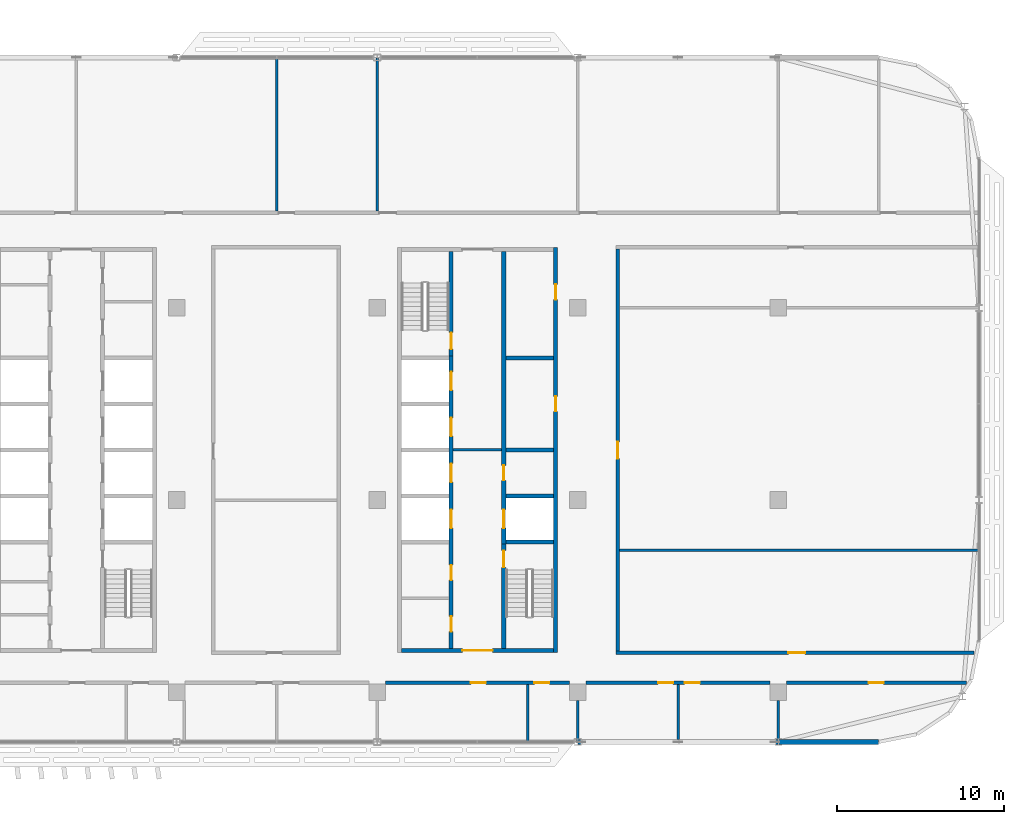
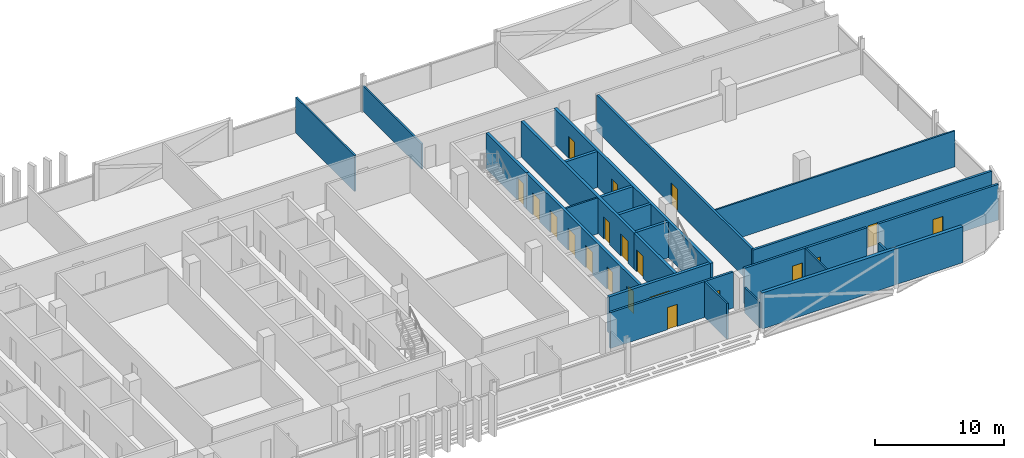
# One storey, part 21 of 33: 25 walls, 20 doors, 20 openings.
"""IFC4 building model written with IfcOpenShell, lengths in metres."""

from ifc_helpers import new_model, si_unit, direction, frame, frame_2d, origin, place, context, subcontext, project, spatial, rectangle, extrude, material, layer, layer_set, type_object, element, fill, save


model = new_model("IFC4")

# Units and contexts
model_context = context("Model", 3, precision=1e-05, world=origin(), true_north=direction((0.0, 1.0)))
body_context = subcontext(model_context, "Body", "Model", "MODEL_VIEW")
ifc_project = project(units=[si_unit("LENGTHUNIT", "METRE"), si_unit("AREAUNIT", "SQUARE_METRE"), si_unit("VOLUMEUNIT", "CUBIC_METRE"), si_unit("PLANEANGLEUNIT", "RADIAN"), si_unit("MASSUNIT", "GRAM", prefix="KILO")], contexts=[model_context])

# Site, building, storey
site_placement = place(None, origin())
site = spatial("IfcSite", under=ifc_project, at=site_placement, CompositionType="ELEMENT")
building_placement = place(site_placement, origin())
building = spatial("IfcBuilding", under=site, at=building_placement, Name="Mahtab Terrace Research Tower", CompositionType="ELEMENT")
storey_placement = place(building_placement, frame((0.0, 0.0, 255.199951171875)))
storey = spatial("IfcBuildingStorey", under=building, at=storey_placement, Name="L62", CompositionType="ELEMENT", Elevation=255.199951171875)

# Wall
ifc_material_1 = material(Name="Gypsum board partition")
ifc_layer_1 = layer(ifc_material_1, 0.14990234375)
ifc_layer_set_1 = layer_set([ifc_layer_1], Name="Core partition 150")
wall_type_1 = type_object("IfcWallType", Name="Core partition 150", PredefinedType="PARTITIONING", material=ifc_layer_set_1)
wall_1_placement = place(storey_placement, frame((22.550048828125, 3.0, 0.0), z_axis=(0.0, 0.0, 1.0), x_axis=(1.0, 0.0, 0.0)))
element("IfcWall", 1, at=wall_1_placement, inside=storey, type_object=wall_type_1, Name="Core wall C ffl", PredefinedType="PARTITIONING", context=body_context, shape_type="SweptSolid", body=[
    extrude(rectangle(XDim=2.89990234375, YDim=0.14990234375, at=frame_2d((1.449951171875, 0.0))), origin(), (0.0, 0.0, 1.0), 3.400146484375),
])

# Wall, openings, doors
ifc_material_2 = material(Name="Concrete C70/85", Category="concrete")
ifc_layer_2 = layer(ifc_material_2, 0.25)
ifc_layer_set_2 = layer_set([ifc_layer_2], Name="Core wall 250")
wall_type_2 = type_object("IfcWallType", Name="Core wall 250", PredefinedType="SOLIDWALL", material=ifc_layer_set_2)
wall_2_placement = place(storey_placement, frame((28.675048828125, -9.125, 0.0), z_axis=(0.0, 0.0, 1.0), x_axis=(0.0, 1.0, 0.0)))
wall_2 = element("IfcWall", 2, at=wall_2_placement, inside=storey, type_object=wall_type_2, Name="Core wall C outerE", PredefinedType="SOLIDWALL", context=body_context, shape_type="SweptSolid", body=[
    extrude(rectangle(XDim=24.25, YDim=0.25, at=frame_2d((12.125, 0.0))), origin(), (0.0, 0.0, 1.0), 3.400146484375),
])
opening_1_placement = place(wall_2_placement, frame((14.425048828125, 0.0, 0.0)))
opening_1 = element("IfcOpeningElement", 3, at=opening_1_placement, cuts=wall_2, Name="Opening C-R2", PredefinedType="OPENING", context=body_context, shape_type="SweptSolid", body=[
    extrude(rectangle(XDim=0.89990234375, YDim=2.10009765625, at=frame_2d((0.449951171875, 1.050048828125))), frame((0.0, 0.135009765625, 0.0), z_axis=(0.0, -1.0, 0.0), x_axis=(1.0, 0.0, 0.0)), (0.0, 0.0, 1.0), 0.27001953125),
])
opening_2_placement = place(wall_2_placement, frame((21.125, 0.0, 0.0)))
opening_2 = element("IfcOpeningElement", 4, at=opening_2_placement, cuts=wall_2, Name="Opening C-R5", PredefinedType="OPENING", context=body_context, shape_type="SweptSolid", body=[
    extrude(rectangle(XDim=0.89990234375, YDim=2.10009765625, at=frame_2d((0.449951171875, 1.050048828125))), frame((0.0, 0.135009765625, 0.0), z_axis=(0.0, -1.0, 0.0), x_axis=(1.0, 0.0, 0.0)), (0.0, 0.0, 1.0), 0.27001953125),
])
ifc_material_3 = material(Name="Steel fire door", Category="steel")
door_type_1 = type_object("IfcDoorType", Name="Room door 900x2100 1 HR", OperationType="NOTDEFINED", PredefinedType="DOOR", material=ifc_material_3)
door_1_placement = place(opening_1_placement, origin())
door_1 = element("IfcDoor", 5, at=door_1_placement, inside=storey, type_object=door_type_1, Name="Plant room door", OperationType="SINGLE_SWING_RIGHT", OverallHeight=2.10009765625, OverallWidth=0.89990234375, PredefinedType="DOOR", context=body_context, shape_type="SweptSolid", body=[
    extrude(rectangle(XDim=0.89990234375, YDim=2.10009765625, at=frame_2d((0.449951171875, 1.050048828125))), frame((0.0, 0.02490234375, 0.0), z_axis=(0.0, -1.0, 0.0), x_axis=(1.0, 0.0, 0.0)), (0.0, 0.0, 1.0), 0.050048828125),
])
fill(opening_1, door_1)
door_2_placement = place(opening_2_placement, origin())
door_2 = element("IfcDoor", 6, at=door_2_placement, inside=storey, type_object=door_type_1, Name="Gas cylinder store door", OperationType="SINGLE_SWING_LEFT", OverallHeight=2.10009765625, OverallWidth=0.89990234375, PredefinedType="DOOR", context=body_context, shape_type="SweptSolid", body=[
    extrude(rectangle(XDim=0.89990234375, YDim=2.10009765625, at=frame_2d((0.449951171875, 1.050048828125))), frame((0.0, 0.02490234375, 0.0), z_axis=(0.0, -1.0, 0.0), x_axis=(1.0, 0.0, 0.0)), (0.0, 0.0, 1.0), 0.050048828125),
])
fill(opening_2, door_2)

# Wall, opening, door
wall_3_placement = place(storey_placement, frame((28.550048828125, -9.0, 0.0), z_axis=(0.0, 0.0, 1.0), x_axis=(-1.0, 0.0, 0.0)))
wall_3 = element("IfcWall", 7, at=wall_3_placement, inside=storey, type_object=wall_type_2, Name="Core wall C endS", PredefinedType="SOLIDWALL", context=body_context, shape_type="SweptSolid", body=[
    extrude(rectangle(XDim=9.10009765625, YDim=0.25, at=frame_2d((4.550048828125, 0.0))), origin(), (0.0, 0.0, 1.0), 3.400146484375),
])
opening_3_placement = place(wall_3_placement, frame((3.64990234375, 0.0, 0.0)))
opening_3 = element("IfcOpeningElement", 8, at=opening_3_placement, cuts=wall_3, Name="Opening C-S1", PredefinedType="OPENING", context=body_context, shape_type="SweptSolid", body=[
    extrude(rectangle(XDim=1.800048828125, YDim=2.10009765625, at=frame_2d((0.89990234375, 1.050048828125))), frame((0.0, 0.135009765625, 0.0), z_axis=(0.0, -1.0, 0.0), x_axis=(1.0, 0.0, 0.0)), (0.0, 0.0, 1.0), 0.27001953125),
])
door_type_2 = type_object("IfcDoorType", Name="Lobby double door 1800x2100 1 HR", OperationType="DOUBLE_DOOR_SINGLE_SWING", PredefinedType="DOOR", material=ifc_material_3)
door_3_placement = place(opening_3_placement, origin())
door_3 = element("IfcDoor", 9, at=door_3_placement, inside=storey, type_object=door_type_2, Name="Core entrance door C S", OperationType="DOUBLE_DOOR_SINGLE_SWING", OverallHeight=2.10009765625, OverallWidth=1.800048828125, PredefinedType="DOOR", context=body_context, shape_type="SweptSolid", body=[
    extrude(rectangle(XDim=1.800048828125, YDim=2.10009765625, at=frame_2d((0.89990234375, 1.050048828125))), frame((0.0, 0.02490234375, 0.0), z_axis=(0.0, -1.0, 0.0), x_axis=(1.0, 0.0, 0.0)), (0.0, 0.0, 1.0), 0.050048828125),
])
fill(opening_3, door_3)

# Wall, openings, doors
wall_4_placement = place(storey_placement, frame((22.425048828125, -8.875, 0.0), z_axis=(0.0, 0.0, 1.0), x_axis=(0.0, 1.0, 0.0)))
wall_4 = element("IfcWall", 10, at=wall_4_placement, inside=storey, type_object=wall_type_2, Name="Core wall C innerWSL", PredefinedType="SOLIDWALL", context=body_context, shape_type="SweptSolid", body=[
    extrude(rectangle(XDim=17.5, YDim=0.25, at=frame_2d((8.75, 0.0))), origin(), (0.0, 0.0, 1.0), 3.400146484375),
])
opening_4_placement = place(wall_4_placement, frame((7.199951171875, 0.0, 0.0)))
opening_4 = element("IfcOpeningElement", 11, at=opening_4_placement, cuts=wall_4, Name="Opening LD17-L62", PredefinedType="OPENING", context=body_context, shape_type="SweptSolid", body=[
    extrude(rectangle(XDim=1.10009765625, YDim=2.10009765625, at=frame_2d((0.550048828125, 1.050048828125))), frame((0.0, 0.135009765625, 0.0), z_axis=(0.0, -1.0, 0.0), x_axis=(1.0, 0.0, 0.0)), (0.0, 0.0, 1.0), 0.27001953125),
])
opening_5_placement = place(wall_4_placement, frame((9.949951171875, 0.0, 0.0)))
opening_5 = element("IfcOpeningElement", 12, at=opening_5_placement, cuts=wall_4, Name="Opening LD18-L62", PredefinedType="OPENING", context=body_context, shape_type="SweptSolid", body=[
    extrude(rectangle(XDim=1.10009765625, YDim=2.10009765625, at=frame_2d((0.550048828125, 1.050048828125))), frame((0.0, 0.135009765625, 0.0), z_axis=(0.0, -1.0, 0.0), x_axis=(1.0, 0.0, 0.0)), (0.0, 0.0, 1.0), 0.27001953125),
])
opening_6_placement = place(wall_4_placement, frame((12.699951171875, 0.0, 0.0)))
opening_6 = element("IfcOpeningElement", 13, at=opening_6_placement, cuts=wall_4, Name="Opening LD19-L62", PredefinedType="OPENING", context=body_context, shape_type="SweptSolid", body=[
    extrude(rectangle(XDim=1.10009765625, YDim=2.10009765625, at=frame_2d((0.550048828125, 1.050048828125))), frame((0.0, 0.135009765625, 0.0), z_axis=(0.0, -1.0, 0.0), x_axis=(1.0, 0.0, 0.0)), (0.0, 0.0, 1.0), 0.27001953125),
])
opening_7_placement = place(wall_4_placement, frame((15.449951171875, 0.0, 0.0)))
opening_7 = element("IfcOpeningElement", 14, at=opening_7_placement, cuts=wall_4, Name="Opening LD20-L62", PredefinedType="OPENING", context=body_context, shape_type="SweptSolid", body=[
    extrude(rectangle(XDim=1.10009765625, YDim=2.10009765625, at=frame_2d((0.550048828125, 1.050048828125))), frame((0.0, 0.135009765625, 0.0), z_axis=(0.0, -1.0, 0.0), x_axis=(1.0, 0.0, 0.0)), (0.0, 0.0, 1.0), 0.27001953125),
])
opening_8_placement = place(wall_4_placement, frame((1.012451171875, 0.0, 0.0)))
opening_8 = element("IfcOpeningElement", 15, at=opening_8_placement, cuts=wall_4, Name="Opening C-R3", PredefinedType="OPENING", context=body_context, shape_type="SweptSolid", body=[
    extrude(rectangle(XDim=0.89990234375, YDim=2.10009765625, at=frame_2d((0.449951171875, 1.050048828125))), frame((0.0, 0.135009765625, 0.0), z_axis=(0.0, -1.0, 0.0), x_axis=(1.0, 0.0, 0.0)), (0.0, 0.0, 1.0), 0.27001953125),
])
opening_9_placement = place(wall_4_placement, frame((4.08740234375, 0.0, 0.0)))
opening_9 = element("IfcOpeningElement", 16, at=opening_9_placement, cuts=wall_4, Name="Opening C-R4", PredefinedType="OPENING", context=body_context, shape_type="SweptSolid", body=[
    extrude(rectangle(XDim=0.89990234375, YDim=2.10009765625, at=frame_2d((0.449951171875, 1.050048828125))), frame((0.0, 0.135009765625, 0.0), z_axis=(0.0, -1.0, 0.0), x_axis=(1.0, 0.0, 0.0)), (0.0, 0.0, 1.0), 0.27001953125),
])
ifc_material_4 = material(Name="Stainless steel AISI 304", Category="steel")
door_type_3 = type_object("IfcDoorType", Name="Landing door 1100x2100", OperationType="DOUBLE_DOOR_SLIDING", PredefinedType="DOOR", material=ifc_material_4)
door_4_placement = place(opening_4_placement, origin())
door_4 = element("IfcDoor", 17, at=door_4_placement, inside=storey, type_object=door_type_3, Name="Landing door SV1 L62", OperationType="DOUBLE_DOOR_SLIDING", OverallHeight=2.10009765625, OverallWidth=1.10009765625, PredefinedType="DOOR", context=body_context, shape_type="SweptSolid", body=[
    extrude(rectangle(XDim=1.10009765625, YDim=2.10009765625, at=frame_2d((0.550048828125, 1.050048828125))), frame((0.0, 0.02490234375, 0.0), z_axis=(0.0, -1.0, 0.0), x_axis=(1.0, 0.0, 0.0)), (0.0, 0.0, 1.0), 0.050048828125),
])
fill(opening_4, door_4)
door_5_placement = place(opening_5_placement, origin())
door_5 = element("IfcDoor", 18, at=door_5_placement, inside=storey, type_object=door_type_3, Name="Landing door SV2 L62", OperationType="DOUBLE_DOOR_SLIDING", OverallHeight=2.10009765625, OverallWidth=1.10009765625, PredefinedType="DOOR", context=body_context, shape_type="SweptSolid", body=[
    extrude(rectangle(XDim=1.10009765625, YDim=2.10009765625, at=frame_2d((0.550048828125, 1.050048828125))), frame((0.0, 0.02490234375, 0.0), z_axis=(0.0, -1.0, 0.0), x_axis=(1.0, 0.0, 0.0)), (0.0, 0.0, 1.0), 0.050048828125),
])
fill(opening_5, door_5)
door_6_placement = place(opening_6_placement, origin())
door_6 = element("IfcDoor", 19, at=door_6_placement, inside=storey, type_object=door_type_3, Name="Landing door FF1 L62", OperationType="DOUBLE_DOOR_SLIDING", OverallHeight=2.10009765625, OverallWidth=1.10009765625, PredefinedType="DOOR", context=body_context, shape_type="SweptSolid", body=[
    extrude(rectangle(XDim=1.10009765625, YDim=2.10009765625, at=frame_2d((0.550048828125, 1.050048828125))), frame((0.0, 0.02490234375, 0.0), z_axis=(0.0, -1.0, 0.0), x_axis=(1.0, 0.0, 0.0)), (0.0, 0.0, 1.0), 0.050048828125),
])
fill(opening_6, door_6)
door_7_placement = place(opening_7_placement, origin())
door_7 = element("IfcDoor", 20, at=door_7_placement, inside=storey, type_object=door_type_3, Name="Landing door FF2 L62", OperationType="DOUBLE_DOOR_SLIDING", OverallHeight=2.10009765625, OverallWidth=1.10009765625, PredefinedType="DOOR", context=body_context, shape_type="SweptSolid", body=[
    extrude(rectangle(XDim=1.10009765625, YDim=2.10009765625, at=frame_2d((0.550048828125, 1.050048828125))), frame((0.0, 0.02490234375, 0.0), z_axis=(0.0, -1.0, 0.0), x_axis=(1.0, 0.0, 0.0)), (0.0, 0.0, 1.0), 0.050048828125),
])
fill(opening_7, door_7)
door_8_placement = place(opening_8_placement, origin())
door_8 = element("IfcDoor", 21, at=door_8_placement, inside=storey, type_object=door_type_1, Name="Staff WC door", OperationType="SINGLE_SWING_LEFT", OverallHeight=2.10009765625, OverallWidth=0.89990234375, PredefinedType="DOOR", context=body_context, shape_type="SweptSolid", body=[
    extrude(rectangle(XDim=0.89990234375, YDim=2.10009765625, at=frame_2d((0.449951171875, 1.050048828125))), frame((0.0, 0.02490234375, 0.0), z_axis=(0.0, -1.0, 0.0), x_axis=(1.0, 0.0, 0.0)), (0.0, 0.0, 1.0), 0.050048828125),
])
fill(opening_8, door_8)
door_9_placement = place(opening_9_placement, origin())
door_9 = element("IfcDoor", 22, at=door_9_placement, inside=storey, type_object=door_type_1, Name="Accessible WC door", OperationType="SINGLE_SWING_RIGHT", OverallHeight=2.10009765625, OverallWidth=0.89990234375, PredefinedType="DOOR", context=body_context, shape_type="SweptSolid", body=[
    extrude(rectangle(XDim=0.89990234375, YDim=2.10009765625, at=frame_2d((0.449951171875, 1.050048828125))), frame((0.0, 0.02490234375, 0.0), z_axis=(0.0, -1.0, 0.0), x_axis=(1.0, 0.0, 0.0)), (0.0, 0.0, 1.0), 0.050048828125),
])
fill(opening_9, door_9)

# Wall, opening, door
wall_5_placement = place(storey_placement, frame((22.425048828125, 14.875, 0.0), z_axis=(0.0, 0.0, 1.0), x_axis=(0.0, -1.0, 0.0)))
wall_5 = element("IfcWall", 23, at=wall_5_placement, inside=storey, type_object=wall_type_2, Name="Core wall C innerWN", PredefinedType="SOLIDWALL", context=body_context, shape_type="SweptSolid", body=[
    extrude(rectangle(XDim=6.25, YDim=0.25, at=frame_2d((3.125, 0.0))), origin(), (0.0, 0.0, 1.0), 3.400146484375),
])
opening_10_placement = place(wall_5_placement, frame((4.85009765625, 0.0, 0.0)))
opening_10 = element("IfcOpeningElement", 24, at=opening_10_placement, cuts=wall_5, Name="Opening C-ST3", PredefinedType="OPENING", context=body_context, shape_type="SweptSolid", body=[
    extrude(rectangle(XDim=1.0, YDim=2.10009765625, at=frame_2d((0.5, 1.050048828125))), frame((0.0, 0.135009765625, 0.0), z_axis=(0.0, -1.0, 0.0), x_axis=(1.0, 0.0, 0.0)), (0.0, 0.0, 1.0), 0.27001953125),
])
door_type_4 = type_object("IfcDoorType", Name="Stair door 1000x2100 1.5 HR", OperationType="NOTDEFINED", PredefinedType="DOOR", material=ifc_material_3)
door_10_placement = place(opening_10_placement, origin())
door_10 = element("IfcDoor", 25, at=door_10_placement, inside=storey, type_object=door_type_4, Name="Stair door ST3 L62", OperationType="SINGLE_SWING_RIGHT", OverallHeight=2.10009765625, OverallWidth=1.0, PredefinedType="DOOR", context=body_context, shape_type="SweptSolid", body=[
    extrude(rectangle(XDim=1.0, YDim=2.10009765625, at=frame_2d((0.5, 1.050048828125))), frame((0.0, 0.02490234375, 0.0), z_axis=(0.0, -1.0, 0.0), x_axis=(1.0, 0.0, 0.0)), (0.0, 0.0, 1.0), 0.050048828125),
])
fill(opening_10, door_10)

wall_6_placement = place(storey_placement, frame((25.574951171875, -8.875, 0.0), z_axis=(0.0, 0.0, 1.0), x_axis=(0.0, 1.0, 0.0)))
wall_6 = element("IfcWall", 26, at=wall_6_placement, inside=storey, type_object=wall_type_2, Name="Core wall C innerES", PredefinedType="SOLIDWALL", context=body_context, shape_type="SweptSolid", body=[
    extrude(rectangle(XDim=6.25, YDim=0.25, at=frame_2d((3.125, 0.0))), origin(), (0.0, 0.0, 1.0), 3.400146484375),
])
opening_11_placement = place(wall_6_placement, frame((4.85009765625, 0.0, 0.0)))
opening_11 = element("IfcOpeningElement", 27, at=opening_11_placement, cuts=wall_6, Name="Opening C-ST4", PredefinedType="OPENING", context=body_context, shape_type="SweptSolid", body=[
    extrude(rectangle(XDim=1.0, YDim=2.10009765625, at=frame_2d((0.5, 1.050048828125))), frame((0.0, 0.135009765625, 0.0), z_axis=(0.0, -1.0, 0.0), x_axis=(1.0, 0.0, 0.0)), (0.0, 0.0, 1.0), 0.27001953125),
])
door_11_placement = place(opening_11_placement, origin())
door_11 = element("IfcDoor", 28, at=door_11_placement, inside=storey, type_object=door_type_4, Name="Stair door ST4 L62", OperationType="SINGLE_SWING_LEFT", OverallHeight=2.10009765625, OverallWidth=1.0, PredefinedType="DOOR", context=body_context, shape_type="SweptSolid", body=[
    extrude(rectangle(XDim=1.0, YDim=2.10009765625, at=frame_2d((0.5, 1.050048828125))), frame((0.0, 0.02490234375, 0.0), z_axis=(0.0, -1.0, 0.0), x_axis=(1.0, 0.0, 0.0)), (0.0, 0.0, 1.0), 0.050048828125),
])
fill(opening_11, door_11)

# Wall, openings, doors
wall_7_placement = place(storey_placement, frame((25.574951171875, 14.875, 0.0), z_axis=(0.0, 0.0, 1.0), x_axis=(0.0, -1.0, 0.0)))
wall_7 = element("IfcWall", 29, at=wall_7_placement, inside=storey, type_object=wall_type_2, Name="Core wall C innerELN", PredefinedType="SOLIDWALL", context=body_context, shape_type="SweptSolid", body=[
    extrude(rectangle(XDim=17.5, YDim=0.25, at=frame_2d((8.75, 0.0))), origin(), (0.0, 0.0, 1.0), 3.400146484375),
])
opening_12_placement = place(wall_7_placement, frame((15.449951171875, 0.0, 0.0)))
opening_12 = element("IfcOpeningElement", 30, at=opening_12_placement, cuts=wall_7, Name="Opening LD21-L62", PredefinedType="OPENING", context=body_context, shape_type="SweptSolid", body=[
    extrude(rectangle(XDim=1.10009765625, YDim=2.10009765625, at=frame_2d((0.550048828125, 1.050048828125))), frame((0.0, 0.135009765625, 0.0), z_axis=(0.0, -1.0, 0.0), x_axis=(1.0, 0.0, 0.0)), (0.0, 0.0, 1.0), 0.27001953125),
])
opening_13_placement = place(wall_7_placement, frame((12.800048828125, 0.0, 0.0)))
opening_13 = element("IfcOpeningElement", 31, at=opening_13_placement, cuts=wall_7, Name="Opening C-R1", PredefinedType="OPENING", context=body_context, shape_type="SweptSolid", body=[
    extrude(rectangle(XDim=0.89990234375, YDim=2.10009765625, at=frame_2d((0.449951171875, 1.050048828125))), frame((0.0, 0.135009765625, 0.0), z_axis=(0.0, -1.0, 0.0), x_axis=(1.0, 0.0, 0.0)), (0.0, 0.0, 1.0), 0.27001953125),
])
door_12_placement = place(opening_12_placement, origin())
door_12 = element("IfcDoor", 32, at=door_12_placement, inside=storey, type_object=door_type_3, Name="Landing door SV3 L62", OperationType="DOUBLE_DOOR_SLIDING", OverallHeight=2.10009765625, OverallWidth=1.10009765625, PredefinedType="DOOR", context=body_context, shape_type="SweptSolid", body=[
    extrude(rectangle(XDim=1.10009765625, YDim=2.10009765625, at=frame_2d((0.550048828125, 1.050048828125))), frame((0.0, 0.02490234375, 0.0), z_axis=(0.0, -1.0, 0.0), x_axis=(1.0, 0.0, 0.0)), (0.0, 0.0, 1.0), 0.050048828125),
])
fill(opening_12, door_12)
door_13_placement = place(opening_13_placement, origin())
door_13 = element("IfcDoor", 33, at=door_13_placement, inside=storey, type_object=door_type_1, Name="Plant room door", OperationType="SINGLE_SWING_LEFT", OverallHeight=2.10009765625, OverallWidth=0.89990234375, PredefinedType="DOOR", context=body_context, shape_type="SweptSolid", body=[
    extrude(rectangle(XDim=0.89990234375, YDim=2.10009765625, at=frame_2d((0.449951171875, 1.050048828125))), frame((0.0, 0.02490234375, 0.0), z_axis=(0.0, -1.0, 0.0), x_axis=(1.0, 0.0, 0.0)), (0.0, 0.0, 1.0), 0.050048828125),
])
fill(opening_13, door_13)

# Walls
for number, where, z_axis, x_axis, name in (
    (34, (25.699951171875, -2.5, 0.0), (0.0, 0.0, 1.0), (1.0, 0.0, 0.0), "Core wall C divE0"),
    (35, (25.699951171875, 0.25, 0.0), (0.0, 0.0, 1.0), (1.0, 0.0, 0.0), "Core wall C divE1"),
    (36, (25.699951171875, 3.0, 0.0), (0.0, 0.0, 1.0), (1.0, 0.0, 0.0), "Core wall C divE2"),
    (37, (25.699951171875, 8.5, 0.0), (0.0, 0.0, 1.0), (1.0, 0.0, 0.0), "Core wall C divE4"),
):
    element("IfcWall", number, at=place(storey_placement, frame(where, z_axis=z_axis, x_axis=x_axis)), inside=storey, type_object=wall_type_2, Name=name, PredefinedType="SOLIDWALL", context=body_context, shape_type="SweptSolid", body=[
        extrude(rectangle(XDim=2.85009765625, YDim=0.25, at=frame_2d((1.425048828125, 0.0))), origin(), (0.0, 0.0, 1.0), 3.400146484375),
    ])
ifc_material_5 = material(Name="Black aluminium cladding panel", Category="aluminium")
ifc_layer_3 = layer(ifc_material_5, 0.300048828125)
ifc_layer_set_3 = layer_set([ifc_layer_3], Name="Opaque facade wall 300")
wall_type_3 = type_object("IfcWallType", Name="Opaque facade wall 300", PredefinedType="NOTDEFINED", material=ifc_layer_set_3)
wall_8_placement = place(storey_placement, frame((30.010498046875, -14.472900390625, 0.0), z_axis=(0.0, 0.0, 1.0), x_axis=(1.0, 0.0, 0.0)))
element("IfcWall", 38, at=wall_8_placement, inside=storey, type_object=wall_type_3, Name="Opaque facade wall L62 S31", PredefinedType="NOTDEFINED", context=body_context, shape_type="SweptSolid", body=[
    extrude(rectangle(XDim=11.97900390625, YDim=0.300048828125, at=frame_2d((5.989501953125, 0.0))), origin(), (0.0, 0.0, 1.0), 3.400146484375),
])
wall_9_placement = place(storey_placement, frame((42.010498046875, -14.472900390625, 0.0), z_axis=(0.0, 0.0, 1.0), x_axis=(1.0, 0.0, 0.0)))
element("IfcWall", 39, at=wall_9_placement, inside=storey, type_object=wall_type_3, Name="Opaque facade wall L62 S32", PredefinedType="NOTDEFINED", context=body_context, shape_type="SweptSolid", body=[
    extrude(rectangle(XDim=5.989501953125, YDim=0.300048828125, at=frame_2d((2.99462890625, 0.0))), origin(), (0.0, 0.0, 1.0), 3.400146484375),
])

# Wall, openings, doors
ifc_material_6 = material(Name="Gypsum board corridor wall on steel studs", Category="steel")
ifc_layer_4 = layer(ifc_material_6, 0.199951171875)
ifc_layer_set_4 = layer_set([ifc_layer_4], Name="WALL CORRIDOR 200")
wall_type_4 = type_object("IfcWallType", Name="WALL CORRIDOR 200", PredefinedType="PARTITIONING", material=ifc_layer_set_4)
wall_10_placement = place(storey_placement, frame((18.5, -10.923095703125, 0.0), z_axis=(0.0, 0.0, 1.0), x_axis=(1.0, 0.0, 0.0)))
wall_10 = element("IfcWall", 40, at=wall_10_placement, inside=storey, type_object=wall_type_4, Name="L62-W006", PredefinedType="PARTITIONING", context=body_context, shape_type="SweptSolid", body=[
    extrude(rectangle(XDim=11.0, YDim=0.199951171875, at=frame_2d((5.5, 0.0))), origin(), (0.0, 0.0, 1.0), 3.400146484375),
])
opening_14_placement = place(wall_10_placement, frame((5.10009765625, 0.0, 0.0)))
opening_14 = element("IfcOpeningElement", 41, at=opening_14_placement, cuts=wall_10, Name="Opening L62-111", PredefinedType="OPENING", context=body_context, shape_type="SweptSolid", body=[
    extrude(rectangle(XDim=0.89990234375, YDim=2.10009765625, at=frame_2d((0.449951171875, 1.050048828125))), frame((0.0, 0.10986328125, 0.0), z_axis=(0.0, -1.0, 0.0), x_axis=(1.0, 0.0, 0.0)), (0.0, 0.0, 1.0), 0.219970703125),
])
opening_15_placement = place(wall_10_placement, frame((8.89990234375, 0.0, 0.0)))
opening_15 = element("IfcOpeningElement", 42, at=opening_15_placement, cuts=wall_10, Name="Opening L62-112", PredefinedType="OPENING", context=body_context, shape_type="SweptSolid", body=[
    extrude(rectangle(XDim=0.89990234375, YDim=2.10009765625, at=frame_2d((0.449951171875, 1.050048828125))), frame((0.0, 0.10986328125, 0.0), z_axis=(0.0, -1.0, 0.0), x_axis=(1.0, 0.0, 0.0)), (0.0, 0.0, 1.0), 0.219970703125),
])
ifc_material_7 = material(Name="Timber door leaf in steel frame", Category="steel")
door_type_5 = type_object("IfcDoorType", Name="DOOR 0900X2100 FD30S", OperationType="SINGLE_SWING_LEFT", PredefinedType="DOOR", material=ifc_material_7)
door_14_placement = place(opening_14_placement, origin())
door_14 = element("IfcDoor", 43, at=door_14_placement, inside=storey, type_object=door_type_5, Name="Door L62-111", OperationType="SINGLE_SWING_LEFT", OverallHeight=2.10009765625, OverallWidth=0.89990234375, PredefinedType="DOOR", context=body_context, shape_type="SweptSolid", body=[
    extrude(rectangle(XDim=0.89990234375, YDim=2.10009765625, at=frame_2d((0.449951171875, 1.050048828125))), frame((0.0, 0.02490234375, 0.0), z_axis=(0.0, -1.0, 0.0), x_axis=(1.0, 0.0, 0.0)), (0.0, 0.0, 1.0), 0.050048828125),
])
fill(opening_14, door_14)
door_15_placement = place(opening_15_placement, origin())
door_15 = element("IfcDoor", 44, at=door_15_placement, inside=storey, type_object=door_type_5, Name="Door L62-112", OperationType="SINGLE_SWING_LEFT", OverallHeight=2.10009765625, OverallWidth=0.89990234375, PredefinedType="DOOR", context=body_context, shape_type="SweptSolid", body=[
    extrude(rectangle(XDim=0.89990234375, YDim=2.10009765625, at=frame_2d((0.449951171875, 1.050048828125))), frame((0.0, 0.02490234375, 0.0), z_axis=(0.0, -1.0, 0.0), x_axis=(1.0, 0.0, 0.0)), (0.0, 0.0, 1.0), 0.050048828125),
])
fill(opening_15, door_15)

wall_11_placement = place(storey_placement, frame((30.5, -10.923095703125, 0.0), z_axis=(0.0, 0.0, 1.0), x_axis=(1.0, 0.0, 0.0)))
wall_11 = element("IfcWall", 45, at=wall_11_placement, inside=storey, type_object=wall_type_4, Name="L62-W007", PredefinedType="PARTITIONING", context=body_context, shape_type="SweptSolid", body=[
    extrude(rectangle(XDim=11.0, YDim=0.199951171875, at=frame_2d((5.5, 0.0))), origin(), (0.0, 0.0, 1.0), 3.400146484375),
])
opening_16_placement = place(wall_11_placement, frame((4.300048828125, 0.0, 0.0)))
opening_16 = element("IfcOpeningElement", 46, at=opening_16_placement, cuts=wall_11, Name="Opening L62-113", PredefinedType="OPENING", context=body_context, shape_type="SweptSolid", body=[
    extrude(rectangle(XDim=0.89990234375, YDim=2.10009765625, at=frame_2d((0.449951171875, 1.050048828125))), frame((0.0, 0.10986328125, 0.0), z_axis=(0.0, -1.0, 0.0), x_axis=(1.0, 0.0, 0.0)), (0.0, 0.0, 1.0), 0.219970703125),
])
opening_17_placement = place(wall_11_placement, frame((5.89990234375, 0.0, 0.0)))
opening_17 = element("IfcOpeningElement", 47, at=opening_17_placement, cuts=wall_11, Name="Opening L62-114", PredefinedType="OPENING", context=body_context, shape_type="SweptSolid", body=[
    extrude(rectangle(XDim=0.89990234375, YDim=2.10009765625, at=frame_2d((0.449951171875, 1.050048828125))), frame((0.0, 0.10986328125, 0.0), z_axis=(0.0, -1.0, 0.0), x_axis=(1.0, 0.0, 0.0)), (0.0, 0.0, 1.0), 0.219970703125),
])
door_16_placement = place(opening_16_placement, origin())
door_16 = element("IfcDoor", 48, at=door_16_placement, inside=storey, type_object=door_type_5, Name="Door L62-113", OperationType="SINGLE_SWING_RIGHT", OverallHeight=2.10009765625, OverallWidth=0.89990234375, PredefinedType="DOOR", context=body_context, shape_type="SweptSolid", body=[
    extrude(rectangle(XDim=0.89990234375, YDim=2.10009765625, at=frame_2d((0.449951171875, 1.050048828125))), frame((0.0, 0.02490234375, 0.0), z_axis=(0.0, -1.0, 0.0), x_axis=(1.0, 0.0, 0.0)), (0.0, 0.0, 1.0), 0.050048828125),
])
fill(opening_16, door_16)
door_17_placement = place(opening_17_placement, origin())
door_17 = element("IfcDoor", 49, at=door_17_placement, inside=storey, type_object=door_type_5, Name="Door L62-114", OperationType="SINGLE_SWING_LEFT", OverallHeight=2.10009765625, OverallWidth=0.89990234375, PredefinedType="DOOR", context=body_context, shape_type="SweptSolid", body=[
    extrude(rectangle(XDim=0.89990234375, YDim=2.10009765625, at=frame_2d((0.449951171875, 1.050048828125))), frame((0.0, 0.02490234375, 0.0), z_axis=(0.0, -1.0, 0.0), x_axis=(1.0, 0.0, 0.0)), (0.0, 0.0, 1.0), 0.050048828125),
])
fill(opening_17, door_17)

# Wall, opening, door
wall_12_placement = place(storey_placement, frame((42.5, -10.923095703125, 0.0), z_axis=(0.0, 0.0, 1.0), x_axis=(1.0, 0.0, 0.0)))
wall_12 = element("IfcWall", 50, at=wall_12_placement, inside=storey, type_object=wall_type_4, Name="L62-W008", PredefinedType="PARTITIONING", context=body_context, shape_type="SweptSolid", body=[
    extrude(rectangle(XDim=10.760009765625, YDim=0.199951171875, at=frame_2d((5.3798828125, 0.0))), origin(), (0.0, 0.0, 1.0), 3.400146484375),
])
opening_18_placement = place(wall_12_placement, frame((4.89990234375, 0.0, 0.0)))
opening_18 = element("IfcOpeningElement", 51, at=opening_18_placement, cuts=wall_12, Name="Opening L62-115", PredefinedType="OPENING", context=body_context, shape_type="SweptSolid", body=[
    extrude(rectangle(XDim=0.89990234375, YDim=2.10009765625, at=frame_2d((0.449951171875, 1.050048828125))), frame((0.0, 0.10986328125, 0.0), z_axis=(0.0, -1.0, 0.0), x_axis=(1.0, 0.0, 0.0)), (0.0, 0.0, 1.0), 0.219970703125),
])
door_18_placement = place(opening_18_placement, origin())
door_18 = element("IfcDoor", 52, at=door_18_placement, inside=storey, type_object=door_type_5, Name="Door L62-115", OperationType="SINGLE_SWING_RIGHT", OverallHeight=2.10009765625, OverallWidth=0.89990234375, PredefinedType="DOOR", context=body_context, shape_type="SweptSolid", body=[
    extrude(rectangle(XDim=0.89990234375, YDim=2.10009765625, at=frame_2d((0.449951171875, 1.050048828125))), frame((0.0, 0.02490234375, 0.0), z_axis=(0.0, -1.0, 0.0), x_axis=(1.0, 0.0, 0.0)), (0.0, 0.0, 1.0), 0.050048828125),
])
fill(opening_18, door_18)

wall_13_placement = place(storey_placement, frame((32.300048828125, -9.125, 0.0), z_axis=(0.0, 0.0, 1.0), x_axis=(1.0, 0.0, 0.0)))
wall_13 = element("IfcWall", 53, at=wall_13_placement, inside=storey, type_object=wall_type_4, Name="L62-W012", PredefinedType="PARTITIONING", context=body_context, shape_type="SweptSolid", body=[
    extrude(rectangle(XDim=21.417236328125, YDim=0.199951171875, at=frame_2d((10.70849609375, 0.0))), origin(), (0.0, 0.0, 1.0), 3.400146484375),
])
opening_19_placement = place(wall_13_placement, frame((10.300048828125, 0.0, 0.0)))
opening_19 = element("IfcOpeningElement", 54, at=opening_19_placement, cuts=wall_13, Name="Opening L62-117", PredefinedType="OPENING", context=body_context, shape_type="SweptSolid", body=[
    extrude(rectangle(XDim=1.0, YDim=2.10009765625, at=frame_2d((0.5, 1.050048828125))), frame((0.0, 0.10986328125, 0.0), z_axis=(0.0, -1.0, 0.0), x_axis=(1.0, 0.0, 0.0)), (0.0, 0.0, 1.0), 0.219970703125),
])
door_type_6 = type_object("IfcDoorType", Name="DOOR 1000X2100 FD30S", OperationType="SINGLE_SWING_LEFT", PredefinedType="DOOR", material=ifc_material_7)
door_19_placement = place(opening_19_placement, origin())
door_19 = element("IfcDoor", 55, at=door_19_placement, inside=storey, type_object=door_type_6, Name="Door L62-117", OperationType="SINGLE_SWING_RIGHT", OverallHeight=2.10009765625, OverallWidth=1.0, PredefinedType="DOOR", context=body_context, shape_type="SweptSolid", body=[
    extrude(rectangle(XDim=1.0, YDim=2.10009765625, at=frame_2d((0.5, 1.050048828125))), frame((0.0, 0.02490234375, 0.0), z_axis=(0.0, -1.0, 0.0), x_axis=(1.0, 0.0, 0.0)), (0.0, 0.0, 1.0), 0.050048828125),
])
fill(opening_19, door_19)

wall_14_placement = place(storey_placement, frame((32.39990234375, -9.02490234375, 0.0), z_axis=(0.0, 0.0, 1.0), x_axis=(0.0, 1.0, 0.0)))
wall_14 = element("IfcWall", 56, at=wall_14_placement, inside=storey, type_object=wall_type_4, Name="L62-W050", PredefinedType="PARTITIONING", context=body_context, shape_type="SweptSolid", body=[
    extrude(rectangle(XDim=24.0498046875, YDim=0.199951171875, at=frame_2d((12.02490234375, 0.0))), origin(), (0.0, 0.0, 1.0), 3.400146484375),
])
opening_20_placement = place(wall_14_placement, frame((11.5, 0.0, 0.0)))
opening_20 = element("IfcOpeningElement", 57, at=opening_20_placement, cuts=wall_14, Name="Opening L62-121", PredefinedType="OPENING", context=body_context, shape_type="SweptSolid", body=[
    extrude(rectangle(XDim=1.0, YDim=2.10009765625, at=frame_2d((0.5, 1.050048828125))), frame((0.0, 0.10986328125, 0.0), z_axis=(0.0, -1.0, 0.0), x_axis=(1.0, 0.0, 0.0)), (0.0, 0.0, 1.0), 0.219970703125),
])
door_20_placement = place(opening_20_placement, origin())
door_20 = element("IfcDoor", 58, at=door_20_placement, inside=storey, type_object=door_type_6, Name="Door L62-121", OperationType="SINGLE_SWING_RIGHT", OverallHeight=2.10009765625, OverallWidth=1.0, PredefinedType="DOOR", context=body_context, shape_type="SweptSolid", body=[
    extrude(rectangle(XDim=1.0, YDim=2.10009765625, at=frame_2d((0.5, 1.050048828125))), frame((0.0, 0.02490234375, 0.0), z_axis=(0.0, -1.0, 0.0), x_axis=(1.0, 0.0, 0.0)), (0.0, 0.0, 1.0), 0.050048828125),
])
fill(opening_20, door_20)

# Walls
ifc_material_8 = material(Name="Gypsum board partition on steel studs", Category="steel")
ifc_layer_5 = layer(ifc_material_8, 0.14990234375)
ifc_layer_set_5 = layer_set([ifc_layer_5], Name="WALL PARTITION 150")
wall_type_5 = type_object("IfcWallType", Name="WALL PARTITION 150", PredefinedType="PARTITIONING", material=ifc_layer_set_5)
wall_15_placement = place(storey_placement, frame((32.5, -3.0, 0.0), z_axis=(0.0, 0.0, 1.0), x_axis=(1.0, 0.0, 0.0)))
element("IfcWall", 59, at=wall_15_placement, inside=storey, type_object=wall_type_5, Name="L62-W014", PredefinedType="PARTITIONING", context=body_context, shape_type="SweptSolid", body=[
    extrude(rectangle(XDim=21.47509765625, YDim=0.14990234375, at=frame_2d((10.737548828125, 0.0))), origin(), (0.0, 0.0, 1.0), 3.400146484375),
])
wall_16_placement = place(storey_placement, frame((12.0, 17.300048828125, 0.0), z_axis=(0.0, 0.0, 1.0), x_axis=(0.0, 1.0, 0.0)))
element("IfcWall", 60, at=wall_16_placement, inside=storey, type_object=wall_type_5, Name="L62-W043", PredefinedType="PARTITIONING", context=body_context, shape_type="SweptSolid", body=[
    extrude(rectangle(XDim=9.14794921875, YDim=0.14990234375, at=frame_2d((4.573974609375, 0.0))), origin(), (0.0, 0.0, 1.0), 3.400146484375),
])
wall_17_placement = place(storey_placement, frame((18.0, 17.300048828125, 0.0), z_axis=(0.0, 0.0, 1.0), x_axis=(0.0, 1.0, 0.0)))
element("IfcWall", 61, at=wall_17_placement, inside=storey, type_object=wall_type_5, Name="L62-W046", PredefinedType="PARTITIONING", context=body_context, shape_type="SweptSolid", body=[
    extrude(rectangle(XDim=9.14794921875, YDim=0.14990234375, at=frame_2d((4.573974609375, 0.0))), origin(), (0.0, 0.0, 1.0), 2.4013671875),
])
wall_18_placement = place(storey_placement, frame((27.0, -14.447998046875, 0.0), z_axis=(0.0, 0.0, 1.0), x_axis=(0.0, 1.0, 0.0)))
element("IfcWall", 62, at=wall_18_placement, inside=storey, type_object=wall_type_5, Name="L62-W047", PredefinedType="PARTITIONING", context=body_context, shape_type="SweptSolid", body=[
    extrude(rectangle(XDim=3.425048828125, YDim=0.14990234375, at=frame_2d((1.71240234375, 0.0))), origin(), (0.0, 0.0, 1.0), 3.400146484375),
])
wall_19_placement = place(storey_placement, frame((30.0, -14.447998046875, 0.0), z_axis=(0.0, 0.0, 1.0), x_axis=(0.0, 1.0, 0.0)))
element("IfcWall", 63, at=wall_19_placement, inside=storey, type_object=wall_type_5, Name="L62-W048", PredefinedType="PARTITIONING", context=body_context, shape_type="SweptSolid", body=[
    extrude(rectangle(XDim=2.447998046875, YDim=0.14990234375, at=frame_2d((1.22412109375, 0.0))), origin(), (0.0, 0.0, 1.0), 2.4013671875),
])
wall_20_placement = place(storey_placement, frame((36.0, -14.322998046875, 0.0), z_axis=(0.0, 0.0, 1.0), x_axis=(0.0, 1.0, 0.0)))
element("IfcWall", 64, at=wall_20_placement, inside=storey, type_object=wall_type_5, Name="L62-W051", PredefinedType="PARTITIONING", context=body_context, shape_type="SweptSolid", body=[
    extrude(rectangle(XDim=3.300048828125, YDim=0.14990234375, at=frame_2d((1.64990234375, 0.0))), origin(), (0.0, 0.0, 1.0), 3.400146484375),
])
wall_21_placement = place(storey_placement, frame((42.0, -14.322998046875, 0.0), z_axis=(0.0, 0.0, 1.0), x_axis=(0.0, 1.0, 0.0)))
element("IfcWall", 65, at=wall_21_placement, inside=storey, type_object=wall_type_5, Name="L62-W052", PredefinedType="PARTITIONING", context=body_context, shape_type="SweptSolid", body=[
    extrude(rectangle(XDim=2.322998046875, YDim=0.14990234375, at=frame_2d((1.16162109375, 0.0))), origin(), (0.0, 0.0, 1.0), 2.4013671875),
])

save(model, "model.ifc")
